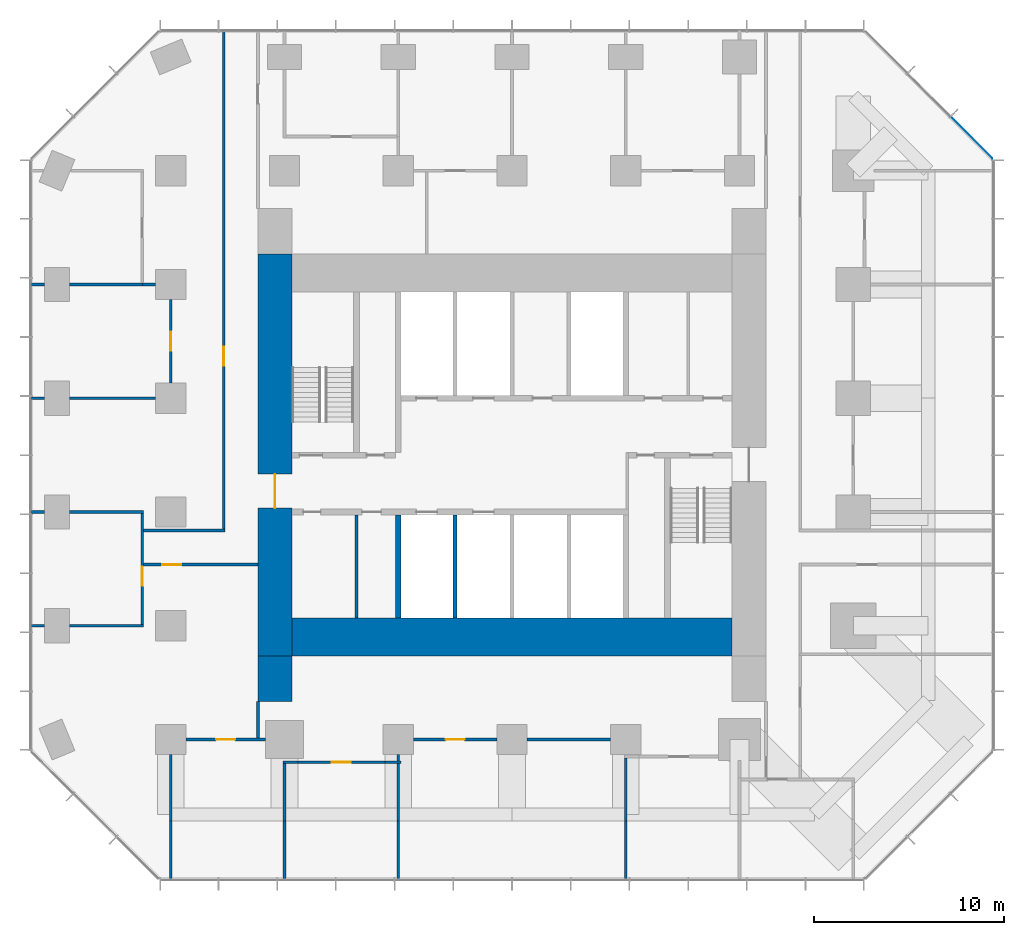
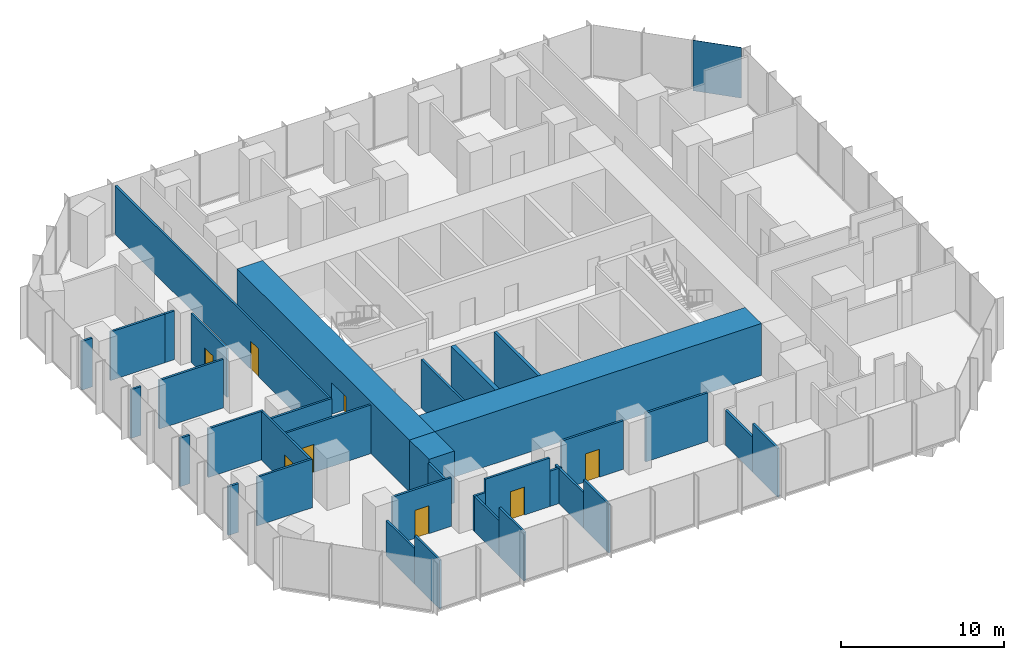
# One storey, part 8 of 12: 36 walls, 8 doors, 1 plate, 8 openings, 1 element without a shape of its own.
"""IFC4 building model written with IfcOpenShell, lengths in metres."""

from ifc_helpers import new_model, si_unit, direction, frame, frame_2d, origin, origin_2d, place, context, subcontext, project, spatial, rectangle, extrude, material, layer, layer_set, type_object, element, fill, aggregate, save


model = new_model("IFC4")

# Units and contexts
model_context = context("Model", 3, precision=1e-05, world=origin(), true_north=direction((0.0, 1.0)))
body_context = subcontext(model_context, "Body", "Model", "MODEL_VIEW")
ifc_project = project(units=[si_unit("LENGTHUNIT", "METRE"), si_unit("AREAUNIT", "SQUARE_METRE"), si_unit("VOLUMEUNIT", "CUBIC_METRE"), si_unit("PLANEANGLEUNIT", "RADIAN"), si_unit("MASSUNIT", "GRAM", prefix="KILO")], contexts=[model_context])

# Site, building, storey
site_placement = place(None, origin())
site = spatial("IfcSite", under=ifc_project, at=site_placement, CompositionType="ELEMENT")
building_placement = place(site_placement, origin())
building = spatial("IfcBuilding", under=site, at=building_placement, Name="Highveld Stack Headquarters", CompositionType="ELEMENT")
storey_placement = place(building_placement, frame((0.0, 0.0, 148.39990234375)))
storey = spatial("IfcBuildingStorey", under=building, at=storey_placement, Name="L36", CompositionType="ELEMENT", Elevation=148.39990234375)

# Curtain wall, plate
ifc_material_1 = material(Name="Aluminium bronze anodised", Category="aluminium")
ifc_layer_1 = layer(ifc_material_1, 0.199951171875)
ifc_layer_set_1 = layer_set([ifc_layer_1], Name="Aluminium bronze anodised")
curtain_wall_type = type_object("IfcCurtainWallType", Name="CW2 TOWER CHAMFER UNITISED CURTAIN WALL", PredefinedType="NOTDEFINED", material=ifc_layer_set_1)
curtain_wall_placement = place(storey_placement, origin())
curtain_wall = element("IfcCurtainWall", 1, at=curtain_wall_placement, inside=storey, type_object=curtain_wall_type, Name="Curtain wall CW2 L36 NE", PredefinedType="NOTDEFINED")
ifc_material_2 = material(Name="Glass bronze tinted double glazed unit", Category="glass")
ifc_layer_2 = layer(ifc_material_2, 0.028076171875)
ifc_layer_set_2 = layer_set([ifc_layer_2], Name="Glass bronze tinted double glazed unit")
plate_type = type_object("IfcPlateType", Name="CW2 PANEL BRONZE TINTED DOUBLE GLAZED UNIT", PredefinedType="CURTAIN_PANEL", material=ifc_layer_set_2)
plate_placement = place(storey_placement, frame((30.239501953125, 19.740478515625, 0.10009765625), z_axis=(0.0, 0.0, 1.0), x_axis=(-0.707106781187, 0.707106781187, 0.0)))
plate = element("IfcPlate", 2, at=plate_placement, type_object=plate_type, Name="CW2 panel L36 1.1", PredefinedType="CURTAIN_PANEL", context=body_context, shape_type="SweptSolid", body=[
    extrude(rectangle(XDim=3.08251953125, YDim=0.028076171875, at=origin_2d()), origin(), (0.0, 0.0, 1.0), 3.800048828125),
])
aggregate(curtain_wall, [plate])

# Wall, opening, door
ifc_material_3 = material(Name="Concrete C60/75", Category="concrete")
ifc_layer_3 = layer(ifc_material_3, 1.800048828125)
ifc_layer_set_3 = layer_set([ifc_layer_3], Name="Concrete C60/75")
wall_type_1 = type_object("IfcWallType", Name="CORE WALL 1800 C60/75", PredefinedType="SHEAR", material=ifc_layer_set_3)
wall_1_placement = place(storey_placement, frame((-6.5, -7.60009765625, 0.0), z_axis=(0.0, 0.0, 1.0), x_axis=(0.0, 1.0, 0.0)))
wall_1 = element("IfcWall", 3, at=wall_1_placement, inside=storey, type_object=wall_type_1, Name="Core wall W L36", PredefinedType="SHEAR", context=body_context, shape_type="SweptSolid", body=[
    extrude(rectangle(XDim=21.2001953125, YDim=1.800048828125, at=frame_2d((10.60009765625, 0.0))), origin(), (0.0, 0.0, 1.0), 3.900146484375),
])
opening_1_placement = place(wall_1_placement, frame((7.800048828125, 0.0, 0.0)))
opening_1 = element("IfcOpeningElement", 4, at=opening_1_placement, cuts=wall_1, Name="Opening L36-01", PredefinedType="OPENING", context=body_context, shape_type="SweptSolid", body=[
    extrude(rectangle(XDim=1.800048828125, YDim=2.39990234375, at=frame_2d((0.89990234375, 1.199951171875))), frame((0.0, 0.909912109375, 0.0), z_axis=(0.0, -1.0, 0.0), x_axis=(1.0, 0.0, 0.0)), (0.0, 0.0, 1.0), 1.820068359375),
])
ifc_material_4 = material(Name="Steel fire door", Category="steel")
door_type_1 = type_object("IfcDoorType", Name="LOBBY FIRE DOOR D4 1800x2400", OperationType="DOUBLE_DOOR_SINGLE_SWING", PredefinedType="DOOR", material=ifc_material_4)
door_1_placement = place(opening_1_placement, origin())
door_1 = element("IfcDoor", 5, at=door_1_placement, inside=storey, type_object=door_type_1, Name="Core west door L36", OperationType="DOUBLE_DOOR_SINGLE_SWING", OverallHeight=2.39990234375, OverallWidth=1.800048828125, PredefinedType="DOOR", context=body_context, shape_type="SweptSolid", body=[
    extrude(rectangle(XDim=1.800048828125, YDim=2.39990234375, at=frame_2d((0.89990234375, 1.199951171875))), frame((0.0, 0.02490234375, 0.0), z_axis=(0.0, -1.0, 0.0), x_axis=(1.0, 0.0, 0.0)), (0.0, 0.0, 1.0), 0.050048828125),
])
fill(opening_1, door_1)

# Walls
ifc_material_5 = material(Name="Concrete C60/75", Category="concrete")
ifc_layer_4 = layer(ifc_material_5, 2.0)
ifc_layer_set_4 = layer_set([ifc_layer_4], Name="Concrete C60/75")
wall_type_2 = type_object("IfcWallType", Name="CORE WALL 2000 C60/75", PredefinedType="SHEAR", material=ifc_layer_set_4)
wall_2_placement = place(storey_placement, frame((-5.60009765625, -6.60009765625, 0.0), z_axis=(0.0, 0.0, 1.0), x_axis=(1.0, 0.0, 0.0)))
element("IfcWall", 6, at=wall_2_placement, inside=storey, type_object=wall_type_2, Name="Core wall S L36", PredefinedType="SHEAR", context=body_context, shape_type="SweptSolid", body=[
    extrude(rectangle(XDim=23.2001953125, YDim=2.0, at=frame_2d((11.60009765625, 0.0))), origin(), (0.0, 0.0, 1.0), 3.900146484375),
])
ifc_material_6 = material(Name="Concrete C60/75", Category="concrete")
ifc_layer_5 = layer(ifc_material_6, 0.300048828125)
ifc_layer_set_5 = layer_set([ifc_layer_5], Name="Concrete C60/75")
wall_type_3 = type_object("IfcWallType", Name="CORE WALL 300 C60/75", PredefinedType="SHEAR", material=ifc_layer_set_5)
wall_3_placement = place(storey_placement, frame((0.0, -5.60009765625, 0.0), z_axis=(0.0, 0.0, 1.0), x_axis=(0.0, 1.0, 0.0)))
element("IfcWall", 7, at=wall_3_placement, inside=storey, type_object=wall_type_3, Name="Core wall I-X0S L36", PredefinedType="SHEAR", context=body_context, shape_type="SweptSolid", body=[
    extrude(rectangle(XDim=5.4501953125, YDim=0.300048828125, at=frame_2d((2.72509765625, 0.0))), origin(), (0.0, 0.0, 1.0), 3.900146484375),
])
ifc_material_7 = material(Name="Concrete C60/75", Category="concrete")
ifc_layer_6 = layer(ifc_material_7, 1.800048828125)
ifc_layer_set_6 = layer_set([ifc_layer_6], Name="Concrete C60/75")
wall_type_4 = type_object("IfcWallType", Name="CORE WING WALL 1800 C60/75", PredefinedType="SHEAR", material=ifc_layer_set_6)
wall_4_placement = place(storey_placement, frame((-6.5, -10.0, 0.0), z_axis=(0.0, 0.0, 1.0), x_axis=(0.0, 1.0, 0.0)))
element("IfcWall", 8, at=wall_4_placement, inside=storey, type_object=wall_type_4, Name="Core wing wall WS L36", PredefinedType="SHEAR", context=body_context, shape_type="SweptSolid", body=[
    extrude(rectangle(XDim=2.39990234375, YDim=1.800048828125, at=frame_2d((1.199951171875, 0.0))), origin(), (0.0, 0.0, 1.0), 3.900146484375),
])

# Wall, opening, door
ifc_material_8 = material(Name="Laminated glass in aluminium frame", Category="aluminium")
ifc_layer_7 = layer(ifc_material_8, 0.14990234375)
ifc_layer_set_7 = layer_set([ifc_layer_7], Name="Laminated glass in aluminium frame")
wall_type_5 = type_object("IfcWallType", Name="GLAZED PARTITION 150", PredefinedType="PARTITIONING", material=ifc_layer_set_7)
wall_5_placement = place(storey_placement, frame((-11.199951171875, -12.0, 0.0), z_axis=(0.0, 0.0, 1.0), x_axis=(1.0, 0.0, 0.0)))
wall_5 = element("IfcWall", 9, at=wall_5_placement, inside=storey, type_object=wall_type_5, Name="Glazed partition Meeting room L36", PredefinedType="PARTITIONING", context=body_context, shape_type="SweptSolid", body=[
    extrude(rectangle(XDim=4.199951171875, YDim=0.14990234375, at=frame_2d((2.10009765625, 0.0))), origin(), (0.0, 0.0, 1.0), 3.650146484375),
])
opening_2_placement = place(wall_5_placement, frame((1.60009765625, 0.0, 0.0)))
opening_2 = element("IfcOpeningElement", 10, at=opening_2_placement, cuts=wall_5, Name="Opening L36-12", PredefinedType="OPENING", context=body_context, shape_type="SweptSolid", body=[
    extrude(rectangle(XDim=1.0, YDim=2.10009765625, at=frame_2d((0.5, 1.050048828125))), frame((0.0, 0.0849609375, 0.0), z_axis=(0.0, -1.0, 0.0), x_axis=(1.0, 0.0, 0.0)), (0.0, 0.0, 1.0), 0.169921875),
])
ifc_material_9 = material(Name="Timber door, oiled ash", Category="wood")
door_type_2 = type_object("IfcDoorType", Name="ROOM DOOR D6 1000x2100", OperationType="SINGLE_SWING_LEFT", PredefinedType="DOOR", material=ifc_material_9)
door_2_placement = place(opening_2_placement, origin())
door_2 = element("IfcDoor", 11, at=door_2_placement, inside=storey, type_object=door_type_2, Name="Meeting room door 1 L36", OperationType="SINGLE_SWING_LEFT", OverallHeight=2.10009765625, OverallWidth=1.0, PredefinedType="DOOR", context=body_context, shape_type="SweptSolid", body=[
    extrude(rectangle(XDim=1.0, YDim=2.10009765625, at=frame_2d((0.5, 1.050048828125))), frame((0.0, 0.02490234375, 0.0), z_axis=(0.0, -1.0, 0.0), x_axis=(1.0, 0.0, 0.0)), (0.0, 0.0, 1.0), 0.050048828125),
])
fill(opening_2, door_2)

wall_6_placement = place(storey_placement, frame((-12.0, 6.800048828125, 0.0), z_axis=(0.0, 0.0, 1.0), x_axis=(0.0, 1.0, 0.0)))
wall_6 = element("IfcWall", 12, at=wall_6_placement, inside=storey, type_object=wall_type_5, Name="Glazed partition Meeting room L36", PredefinedType="PARTITIONING", context=body_context, shape_type="SweptSolid", body=[
    extrude(rectangle(XDim=4.39990234375, YDim=0.14990234375, at=frame_2d((2.199951171875, 0.0))), origin(), (0.0, 0.0, 1.0), 3.650146484375),
])
opening_3_placement = place(wall_6_placement, frame((1.699951171875, 0.0, 0.0)))
opening_3 = element("IfcOpeningElement", 13, at=opening_3_placement, cuts=wall_6, Name="Opening L36-18", PredefinedType="OPENING", context=body_context, shape_type="SweptSolid", body=[
    extrude(rectangle(XDim=1.0, YDim=2.10009765625, at=frame_2d((0.5, 1.050048828125))), frame((0.0, 0.0849609375, 0.0), z_axis=(0.0, -1.0, 0.0), x_axis=(1.0, 0.0, 0.0)), (0.0, 0.0, 1.0), 0.169921875),
])
door_3_placement = place(opening_3_placement, origin())
door_3 = element("IfcDoor", 14, at=door_3_placement, inside=storey, type_object=door_type_2, Name="Meeting room door 1 L36", OperationType="SINGLE_SWING_LEFT", OverallHeight=2.10009765625, OverallWidth=1.0, PredefinedType="DOOR", context=body_context, shape_type="SweptSolid", body=[
    extrude(rectangle(XDim=1.0, YDim=2.10009765625, at=frame_2d((0.5, 1.050048828125))), frame((0.0, 0.02490234375, 0.0), z_axis=(0.0, -1.0, 0.0), x_axis=(1.0, 0.0, 0.0)), (0.0, 0.0, 1.0), 0.050048828125),
])
fill(opening_3, door_3)

# Walls
ifc_material_10 = material(Name="Concrete blockwork, fair-faced", Category="masonry")
ifc_layer_8 = layer(ifc_material_10, 0.199951171875)
ifc_layer_set_8 = layer_set([ifc_layer_8], Name="Concrete blockwork, fair-faced")
wall_type_6 = type_object("IfcWallType", Name="LIFT SHAFT ENCLOSURE WALL 200 BLOCKWORK", PredefinedType="SOLIDWALL", material=ifc_layer_set_8)
wall_7_placement = place(storey_placement, frame((3.0, -5.60009765625, 0.0), z_axis=(0.0, 0.0, 1.0), x_axis=(0.0, 1.0, 0.0)))
element("IfcWall", 15, at=wall_7_placement, inside=storey, type_object=wall_type_6, Name="Lift shaft wall L36", PredefinedType="SOLIDWALL", context=body_context, shape_type="SweptSolid", body=[
    extrude(rectangle(XDim=5.4501953125, YDim=0.199951171875, at=frame_2d((2.72509765625, 0.0))), origin(), (0.0, 0.0, 1.0), 3.900146484375),
])
ifc_material_11 = material(Name="Gypsum plasterboard on steel studs", Category="steel")
ifc_layer_9 = layer(ifc_material_11, 0.14990234375)
ifc_layer_set_9 = layer_set([ifc_layer_9], Name="Gypsum plasterboard on steel studs")
wall_type_7 = type_object("IfcWallType", Name="PARTITION 150 PLASTERBOARD", PredefinedType="PARTITIONING", material=ifc_layer_set_9)
wall_8_placement = place(storey_placement, frame((-6.074951171875, -13.199951171875, 0.0), z_axis=(0.0, 0.0, 1.0), x_axis=(1.0, 0.0, 0.0)))
element("IfcWall", 16, at=wall_8_placement, inside=storey, type_object=wall_type_7, Name="Partition Tea kitchen L36", PredefinedType="PARTITIONING", context=body_context, shape_type="SweptSolid", body=[
    extrude(rectangle(XDim=0.784912109375, YDim=0.14990234375, at=frame_2d((0.392578125, 0.0))), origin(), (0.0, 0.0, 1.0), 2.650146484375),
])

# Wall, opening, door
wall_9_placement = place(storey_placement, frame((-5.2900390625, -13.199951171875, 0.0), z_axis=(0.0, 0.0, 1.0), x_axis=(1.0, 0.0, 0.0)))
wall_9 = element("IfcWall", 17, at=wall_9_placement, inside=storey, type_object=wall_type_7, Name="Partition Tea kitchen L36", PredefinedType="PARTITIONING", context=body_context, shape_type="SweptSolid", body=[
    extrude(rectangle(XDim=4.580078125, YDim=0.14990234375, at=frame_2d((2.2900390625, 0.0))), origin(), (0.0, 0.0, 1.0), 3.650146484375),
])
opening_4_placement = place(wall_9_placement, frame((1.7900390625, 0.0, 0.0)))
opening_4 = element("IfcOpeningElement", 18, at=opening_4_placement, cuts=wall_9, Name="Opening L36-13", PredefinedType="OPENING", context=body_context, shape_type="SweptSolid", body=[
    extrude(rectangle(XDim=1.0, YDim=2.10009765625, at=frame_2d((0.5, 1.050048828125))), frame((0.0, 0.0849609375, 0.0), z_axis=(0.0, -1.0, 0.0), x_axis=(1.0, 0.0, 0.0)), (0.0, 0.0, 1.0), 0.169921875),
])
door_4_placement = place(opening_4_placement, origin())
door_4 = element("IfcDoor", 19, at=door_4_placement, inside=storey, type_object=door_type_2, Name="Tea kitchen door 1 L36", OperationType="SINGLE_SWING_LEFT", OverallHeight=2.10009765625, OverallWidth=1.0, PredefinedType="DOOR", context=body_context, shape_type="SweptSolid", body=[
    extrude(rectangle(XDim=1.0, YDim=2.10009765625, at=frame_2d((0.5, 1.050048828125))), frame((0.0, 0.02490234375, 0.0), z_axis=(0.0, -1.0, 0.0), x_axis=(1.0, 0.0, 0.0)), (0.0, 0.0, 1.0), 0.050048828125),
])
fill(opening_4, door_4)

# Wall
wall_10_placement = place(storey_placement, frame((-0.7099609375, -13.199951171875, 0.0), z_axis=(0.0, 0.0, 1.0), x_axis=(1.0, 0.0, 0.0)))
element("IfcWall", 20, at=wall_10_placement, inside=storey, type_object=wall_type_7, Name="Partition Tea kitchen L36", PredefinedType="PARTITIONING", context=body_context, shape_type="SweptSolid", body=[
    extrude(rectangle(XDim=0.85986328125, YDim=0.14990234375, at=frame_2d((0.429931640625, 0.0))), origin(), (0.0, 0.0, 1.0), 2.650146484375),
])

# Wall, opening, door
wall_11_placement = place(storey_placement, frame((0.800048828125, -12.0, 0.0), z_axis=(0.0, 0.0, 1.0), x_axis=(1.0, 0.0, 0.0)))
wall_11 = element("IfcWall", 21, at=wall_11_placement, inside=storey, type_object=wall_type_7, Name="Partition Team office L36", PredefinedType="PARTITIONING", context=body_context, shape_type="SweptSolid", body=[
    extrude(rectangle(XDim=4.39990234375, YDim=0.14990234375, at=frame_2d((2.199951171875, 0.0))), origin(), (0.0, 0.0, 1.0), 3.650146484375),
])
opening_5_placement = place(wall_11_placement, frame((1.699951171875, 0.0, 0.0)))
opening_5 = element("IfcOpeningElement", 22, at=opening_5_placement, cuts=wall_11, Name="Opening L36-14", PredefinedType="OPENING", context=body_context, shape_type="SweptSolid", body=[
    extrude(rectangle(XDim=1.0, YDim=2.10009765625, at=frame_2d((0.5, 1.050048828125))), frame((0.0, 0.0849609375, 0.0), z_axis=(0.0, -1.0, 0.0), x_axis=(1.0, 0.0, 0.0)), (0.0, 0.0, 1.0), 0.169921875),
])
door_5_placement = place(opening_5_placement, origin())
door_5 = element("IfcDoor", 23, at=door_5_placement, inside=storey, type_object=door_type_2, Name="Team office door 1 L36", OperationType="SINGLE_SWING_LEFT", OverallHeight=2.10009765625, OverallWidth=1.0, PredefinedType="DOOR", context=body_context, shape_type="SweptSolid", body=[
    extrude(rectangle(XDim=1.0, YDim=2.10009765625, at=frame_2d((0.5, 1.050048828125))), frame((0.0, 0.02490234375, 0.0), z_axis=(0.0, -1.0, 0.0), x_axis=(1.0, 0.0, 0.0)), (0.0, 0.0, 1.0), 0.050048828125),
])
fill(opening_5, door_5)

# Walls
wall_12_placement = place(storey_placement, frame((6.800048828125, -12.0, 0.0), z_axis=(0.0, 0.0, 1.0), x_axis=(1.0, 0.0, 0.0)))
element("IfcWall", 24, at=wall_12_placement, inside=storey, type_object=wall_type_7, Name="Partition Team office L36", PredefinedType="PARTITIONING", context=body_context, shape_type="SweptSolid", body=[
    extrude(rectangle(XDim=4.39990234375, YDim=0.14990234375, at=frame_2d((2.199951171875, 0.0))), origin(), (0.0, 0.0, 1.0), 3.650146484375),
])
wall_13_placement = place(storey_placement, frame((-19.39990234375, -6.0, 0.0), z_axis=(0.0, 0.0, 1.0), x_axis=(1.0, 0.0, 0.0)))
element("IfcWall", 25, at=wall_13_placement, inside=storey, type_object=wall_type_7, Name="Partition Quiet room L36", PredefinedType="PARTITIONING", context=body_context, shape_type="SweptSolid", body=[
    extrude(rectangle(XDim=0.75, YDim=0.14990234375, at=frame_2d((0.375, 0.0))), origin(), (0.0, 0.0, 1.0), 3.650146484375),
])
wall_14_placement = place(storey_placement, frame((-17.35009765625, -6.0, 0.0), z_axis=(0.0, 0.0, 1.0), x_axis=(1.0, 0.0, 0.0)))
element("IfcWall", 26, at=wall_14_placement, inside=storey, type_object=wall_type_7, Name="Partition Quiet room L36", PredefinedType="PARTITIONING", context=body_context, shape_type="SweptSolid", body=[
    extrude(rectangle(XDim=3.925048828125, YDim=0.14990234375, at=frame_2d((1.96240234375, 0.0))), origin(), (0.0, 0.0, 1.0), 3.650146484375),
])
wall_15_placement = place(storey_placement, frame((-19.35009765625, 0.0, 0.0), z_axis=(0.0, 0.0, 1.0), x_axis=(1.0, 0.0, 0.0)))
element("IfcWall", 27, at=wall_15_placement, inside=storey, type_object=wall_type_7, Name="Partition Quiet room L36", PredefinedType="PARTITIONING", context=body_context, shape_type="SweptSolid", body=[
    extrude(rectangle(XDim=0.7001953125, YDim=0.14990234375, at=frame_2d((0.35009765625, 0.0))), origin(), (0.0, 0.0, 1.0), 3.650146484375),
])
wall_16_placement = place(storey_placement, frame((-17.35009765625, 0.0, 0.0), z_axis=(0.0, 0.0, 1.0), x_axis=(1.0, 0.0, 0.0)))
element("IfcWall", 28, at=wall_16_placement, inside=storey, type_object=wall_type_7, Name="Partition Quiet room L36", PredefinedType="PARTITIONING", context=body_context, shape_type="SweptSolid", body=[
    extrude(rectangle(XDim=3.925048828125, YDim=0.14990234375, at=frame_2d((1.96240234375, 0.0))), origin(), (0.0, 0.0, 1.0), 3.650146484375),
])
wall_17_placement = place(storey_placement, frame((-19.35009765625, 6.0, 0.0), z_axis=(0.0, 0.0, 1.0), x_axis=(1.0, 0.0, 0.0)))
element("IfcWall", 29, at=wall_17_placement, inside=storey, type_object=wall_type_7, Name="Partition Meeting room L36", PredefinedType="PARTITIONING", context=body_context, shape_type="SweptSolid", body=[
    extrude(rectangle(XDim=0.7001953125, YDim=0.14990234375, at=frame_2d((0.35009765625, 0.0))), origin(), (0.0, 0.0, 1.0), 3.650146484375),
])
wall_18_placement = place(storey_placement, frame((-17.35009765625, 6.0, 0.0), z_axis=(0.0, 0.0, 1.0), x_axis=(1.0, 0.0, 0.0)))
element("IfcWall", 30, at=wall_18_placement, inside=storey, type_object=wall_type_7, Name="Partition Meeting room L36", PredefinedType="PARTITIONING", context=body_context, shape_type="SweptSolid", body=[
    extrude(rectangle(XDim=4.550048828125, YDim=0.14990234375, at=frame_2d((2.27490234375, 0.0))), origin(), (0.0, 0.0, 1.0), 3.650146484375),
])
wall_19_placement = place(storey_placement, frame((-19.39990234375, 12.0, 0.0), z_axis=(0.0, 0.0, 1.0), x_axis=(1.0, 0.0, 0.0)))
element("IfcWall", 31, at=wall_19_placement, inside=storey, type_object=wall_type_7, Name="Partition Meeting room / Quiet room L36", PredefinedType="PARTITIONING", context=body_context, shape_type="SweptSolid", body=[
    extrude(rectangle(XDim=0.75, YDim=0.14990234375, at=frame_2d((0.375, 0.0))), origin(), (0.0, 0.0, 1.0), 3.650146484375),
])
wall_20_placement = place(storey_placement, frame((-17.35009765625, 12.0, 0.0), z_axis=(0.0, 0.0, 1.0), x_axis=(1.0, 0.0, 0.0)))
element("IfcWall", 32, at=wall_20_placement, inside=storey, type_object=wall_type_7, Name="Partition Meeting room / Quiet room L36", PredefinedType="PARTITIONING", context=body_context, shape_type="SweptSolid", body=[
    extrude(rectangle(XDim=3.925048828125, YDim=0.14990234375, at=frame_2d((1.96240234375, 0.0))), origin(), (0.0, 0.0, 1.0), 3.650146484375),
])
wall_21_placement = place(storey_placement, frame((-13.5, 12.0, 0.0), z_axis=(0.0, 0.0, 1.0), x_axis=(1.0, 0.0, 0.0)))
element("IfcWall", 33, at=wall_21_placement, inside=storey, type_object=wall_type_7, Name="Partition Meeting room L36", PredefinedType="PARTITIONING", context=body_context, shape_type="SweptSolid", body=[
    extrude(rectangle(XDim=0.699951171875, YDim=0.14990234375, at=frame_2d((0.35009765625, 0.0))), origin(), (0.0, 0.0, 1.0), 3.650146484375),
])

# Wall, opening, door
wall_22_placement = place(storey_placement, frame((-13.5, -5.925048828125, 0.0), z_axis=(0.0, 0.0, 1.0), x_axis=(0.0, 1.0, 0.0)))
wall_22 = element("IfcWall", 34, at=wall_22_placement, inside=storey, type_object=wall_type_7, Name="Partition Quiet room L36", PredefinedType="PARTITIONING", context=body_context, shape_type="SweptSolid", body=[
    extrude(rectangle(XDim=5.85009765625, YDim=0.14990234375, at=frame_2d((2.925048828125, 0.0))), origin(), (0.0, 0.0, 1.0), 3.650146484375),
])
opening_6_placement = place(wall_22_placement, frame((2.02490234375, 0.0, 0.0)))
opening_6 = element("IfcOpeningElement", 35, at=opening_6_placement, cuts=wall_22, Name="Opening L36-17", PredefinedType="OPENING", context=body_context, shape_type="SweptSolid", body=[
    extrude(rectangle(XDim=1.0, YDim=2.10009765625, at=frame_2d((0.5, 1.050048828125))), frame((0.0, 0.0849609375, 0.0), z_axis=(0.0, -1.0, 0.0), x_axis=(1.0, 0.0, 0.0)), (0.0, 0.0, 1.0), 0.169921875),
])
door_6_placement = place(opening_6_placement, origin())
door_6 = element("IfcDoor", 36, at=door_6_placement, inside=storey, type_object=door_type_2, Name="Quiet room door 1 L36", OperationType="SINGLE_SWING_LEFT", OverallHeight=2.10009765625, OverallWidth=1.0, PredefinedType="DOOR", context=body_context, shape_type="SweptSolid", body=[
    extrude(rectangle(XDim=1.0, YDim=2.10009765625, at=frame_2d((0.5, 1.050048828125))), frame((0.0, 0.02490234375, 0.0), z_axis=(0.0, -1.0, 0.0), x_axis=(1.0, 0.0, 0.0)), (0.0, 0.0, 1.0), 0.050048828125),
])
fill(opening_6, door_6)

# Walls
wall_23_placement = place(storey_placement, frame((-12.0, -19.39990234375, 0.0), z_axis=(0.0, 0.0, 1.0), x_axis=(0.0, 1.0, 0.0)))
element("IfcWall", 37, at=wall_23_placement, inside=storey, type_object=wall_type_7, Name="Partition Meeting room L36", PredefinedType="PARTITIONING", context=body_context, shape_type="SweptSolid", body=[
    extrude(rectangle(XDim=3.08984375, YDim=0.14990234375, at=frame_2d((1.544921875, 0.0))), origin(), (0.0, 0.0, 1.0), 3.650146484375),
])
wall_24_placement = place(storey_placement, frame((-12.0, -16.31005859375, 0.0), z_axis=(0.0, 0.0, 1.0), x_axis=(0.0, 1.0, 0.0)))
element("IfcWall", 38, at=wall_24_placement, inside=storey, type_object=wall_type_7, Name="Partition Meeting room L36", PredefinedType="PARTITIONING", context=body_context, shape_type="SweptSolid", body=[
    extrude(rectangle(XDim=3.510009765625, YDim=0.14990234375, at=frame_2d((1.7548828125, 0.0))), origin(), (0.0, 0.0, 1.0), 2.650146484375),
])
wall_25_placement = place(storey_placement, frame((-6.0, -19.39990234375, 0.0), z_axis=(0.0, 0.0, 1.0), x_axis=(0.0, 1.0, 0.0)))
element("IfcWall", 39, at=wall_25_placement, inside=storey, type_object=wall_type_7, Name="Partition Meeting room / Tea kitchen L36", PredefinedType="PARTITIONING", context=body_context, shape_type="SweptSolid", body=[
    extrude(rectangle(XDim=3.08984375, YDim=0.14990234375, at=frame_2d((1.544921875, 0.0))), origin(), (0.0, 0.0, 1.0), 3.650146484375),
])
wall_26_placement = place(storey_placement, frame((-6.0, -16.31005859375, 0.0), z_axis=(0.0, 0.0, 1.0), x_axis=(0.0, 1.0, 0.0)))
element("IfcWall", 40, at=wall_26_placement, inside=storey, type_object=wall_type_7, Name="Partition Meeting room / Tea kitchen L36", PredefinedType="PARTITIONING", context=body_context, shape_type="SweptSolid", body=[
    extrude(rectangle(XDim=3.03515625, YDim=0.14990234375, at=frame_2d((1.517578125, 0.0))), origin(), (0.0, 0.0, 1.0), 2.650146484375),
])
wall_27_placement = place(storey_placement, frame((0.0, -19.39990234375, 0.0), z_axis=(0.0, 0.0, 1.0), x_axis=(0.0, 1.0, 0.0)))
element("IfcWall", 41, at=wall_27_placement, inside=storey, type_object=wall_type_7, Name="Partition Tea kitchen / Team office L36", PredefinedType="PARTITIONING", context=body_context, shape_type="SweptSolid", body=[
    extrude(rectangle(XDim=3.08984375, YDim=0.14990234375, at=frame_2d((1.544921875, 0.0))), origin(), (0.0, 0.0, 1.0), 3.650146484375),
])
wall_28_placement = place(storey_placement, frame((0.0, -16.31005859375, 0.0), z_axis=(0.0, 0.0, 1.0), x_axis=(0.0, 1.0, 0.0)))
element("IfcWall", 42, at=wall_28_placement, inside=storey, type_object=wall_type_7, Name="Partition Tea kitchen / Team office L36", PredefinedType="PARTITIONING", context=body_context, shape_type="SweptSolid", body=[
    extrude(rectangle(XDim=3.03515625, YDim=0.14990234375, at=frame_2d((1.517578125, 0.0))), origin(), (0.0, 0.0, 1.0), 2.650146484375),
])
wall_29_placement = place(storey_placement, frame((0.0, -13.125, 0.0), z_axis=(0.0, 0.0, 1.0), x_axis=(0.0, 1.0, 0.0)))
element("IfcWall", 43, at=wall_29_placement, inside=storey, type_object=wall_type_7, Name="Partition Team office L36", PredefinedType="PARTITIONING", context=body_context, shape_type="SweptSolid", body=[
    extrude(rectangle(XDim=0.324951171875, YDim=0.14990234375, at=frame_2d((0.16259765625, 0.0))), origin(), (0.0, 0.0, 1.0), 2.650146484375),
])
wall_30_placement = place(storey_placement, frame((12.0, -19.39990234375, 0.0), z_axis=(0.0, 0.0, 1.0), x_axis=(0.0, 1.0, 0.0)))
element("IfcWall", 44, at=wall_30_placement, inside=storey, type_object=wall_type_7, Name="Partition Interview room / Team office L36", PredefinedType="PARTITIONING", context=body_context, shape_type="SweptSolid", body=[
    extrude(rectangle(XDim=3.08984375, YDim=0.14990234375, at=frame_2d((1.544921875, 0.0))), origin(), (0.0, 0.0, 1.0), 3.650146484375),
])
wall_31_placement = place(storey_placement, frame((12.0, -16.31005859375, 0.0), z_axis=(0.0, 0.0, 1.0), x_axis=(0.0, 1.0, 0.0)))
element("IfcWall", 45, at=wall_31_placement, inside=storey, type_object=wall_type_7, Name="Partition Interview room / Team office L36", PredefinedType="PARTITIONING", context=body_context, shape_type="SweptSolid", body=[
    extrude(rectangle(XDim=3.3349609375, YDim=0.14990234375, at=frame_2d((1.66748046875, 0.0))), origin(), (0.0, 0.0, 1.0), 2.650146484375),
])

# Wall, opening, door
wall_32_placement = place(storey_placement, frame((-13.425048828125, -2.77490234375, 0.0), z_axis=(0.0, 0.0, 1.0), x_axis=(1.0, 0.0, 0.0)))
wall_32 = element("IfcWall", 46, at=wall_32_placement, inside=storey, type_object=wall_type_7, Name="Partition office neighbourhood L36", PredefinedType="PARTITIONING", context=body_context, shape_type="SweptSolid", body=[
    extrude(rectangle(XDim=6.025146484375, YDim=0.14990234375, at=frame_2d((3.0126953125, 0.0))), origin(), (0.0, 0.0, 1.0), 3.650146484375),
])
opening_7_placement = place(wall_32_placement, frame((0.97900390625, 0.0, 0.0)))
opening_7 = element("IfcOpeningElement", 47, at=opening_7_placement, cuts=wall_32, Name="Opening L36-31", PredefinedType="OPENING", context=body_context, shape_type="SweptSolid", body=[
    extrude(rectangle(XDim=1.0, YDim=2.10009765625, at=frame_2d((0.5, 1.050048828125))), frame((0.0, 0.0849609375, 0.0), z_axis=(0.0, -1.0, 0.0), x_axis=(1.0, 0.0, 0.0)), (0.0, 0.0, 1.0), 0.169921875),
])
door_7_placement = place(opening_7_placement, origin())
door_7 = element("IfcDoor", 48, at=door_7_placement, inside=storey, type_object=door_type_2, Name="Office neighbourhood door L36", OperationType="SINGLE_SWING_LEFT", OverallHeight=2.10009765625, OverallWidth=1.0, PredefinedType="DOOR", context=body_context, shape_type="SweptSolid", body=[
    extrude(rectangle(XDim=1.0, YDim=2.10009765625, at=frame_2d((0.5, 1.050048828125))), frame((0.0, 0.02490234375, 0.0), z_axis=(0.0, -1.0, 0.0), x_axis=(1.0, 0.0, 0.0)), (0.0, 0.0, 1.0), 0.050048828125),
])
fill(opening_7, door_7)

# Wall
wall_33_placement = place(storey_placement, frame((-13.425048828125, -0.97509765625, 0.0), z_axis=(0.0, 0.0, 1.0), x_axis=(1.0, 0.0, 0.0)))
element("IfcWall", 49, at=wall_33_placement, inside=storey, type_object=wall_type_7, Name="Partition office neighbourhood L36", PredefinedType="PARTITIONING", context=body_context, shape_type="SweptSolid", body=[
    extrude(rectangle(XDim=4.300048828125, YDim=0.14990234375, at=frame_2d((2.14990234375, 0.0))), origin(), (0.0, 0.0, 1.0), 3.650146484375),
])

# Wall, opening, door
wall_34_placement = place(storey_placement, frame((-9.199951171875, -0.89990234375, 0.0), z_axis=(0.0, 0.0, 1.0), x_axis=(0.0, 1.0, 0.0)))
wall_34 = element("IfcWall", 50, at=wall_34_placement, inside=storey, type_object=wall_type_7, Name="Partition office neighbourhood L36", PredefinedType="PARTITIONING", context=body_context, shape_type="SweptSolid", body=[
    extrude(rectangle(XDim=26.2998046875, YDim=0.14990234375, at=frame_2d((13.14990234375, 0.0))), origin(), (0.0, 0.0, 1.0), 3.650146484375),
])
opening_8_placement = place(wall_34_placement, frame((8.62109375, 0.0, 0.0)))
opening_8 = element("IfcOpeningElement", 51, at=opening_8_placement, cuts=wall_34, Name="Opening L36-27", PredefinedType="OPENING", context=body_context, shape_type="SweptSolid", body=[
    extrude(rectangle(XDim=1.0, YDim=2.10009765625, at=frame_2d((0.5, 1.050048828125))), frame((0.0, 0.0849609375, 0.0), z_axis=(0.0, -1.0, 0.0), x_axis=(1.0, 0.0, 0.0)), (0.0, 0.0, 1.0), 0.169921875),
])
door_8_placement = place(opening_8_placement, origin())
door_8 = element("IfcDoor", 52, at=door_8_placement, inside=storey, type_object=door_type_2, Name="Office neighbourhood door L36", OperationType="SINGLE_SWING_LEFT", OverallHeight=2.10009765625, OverallWidth=1.0, PredefinedType="DOOR", context=body_context, shape_type="SweptSolid", body=[
    extrude(rectangle(XDim=1.0, YDim=2.10009765625, at=frame_2d((0.5, 1.050048828125))), frame((0.0, 0.02490234375, 0.0), z_axis=(0.0, -1.0, 0.0), x_axis=(1.0, 0.0, 0.0)), (0.0, 0.0, 1.0), 0.050048828125),
])
fill(opening_8, door_8)

# Walls
wall_35_placement = place(storey_placement, frame((-7.39990234375, -11.925048828125, 0.0), z_axis=(0.0, 0.0, 1.0), x_axis=(0.0, 1.0, 0.0)))
element("IfcWall", 53, at=wall_35_placement, inside=storey, type_object=wall_type_7, Name="Partition office neighbourhood L36", PredefinedType="PARTITIONING", context=body_context, shape_type="SweptSolid", body=[
    extrude(rectangle(XDim=1.925048828125, YDim=0.14990234375, at=frame_2d((0.96240234375, 0.0))), origin(), (0.0, 0.0, 1.0), 3.650146484375),
])
ifc_material_12 = material(Name="Concrete blockwork, tiled", Category="masonry")
ifc_layer_10 = layer(ifc_material_12, 0.14990234375)
ifc_layer_set_10 = layer_set([ifc_layer_10], Name="Concrete blockwork, tiled")
wall_type_8 = type_object("IfcWallType", Name="WC PARTITION 150", PredefinedType="PLUMBINGWALL", material=ifc_layer_set_10)
wall_36_placement = place(storey_placement, frame((-2.199951171875, -5.60009765625, 0.0), z_axis=(0.0, 0.0, 1.0), x_axis=(0.0, 1.0, 0.0)))
element("IfcWall", 54, at=wall_36_placement, inside=storey, type_object=wall_type_8, Name="Toilet partition L36", PredefinedType="PLUMBINGWALL", context=body_context, shape_type="SweptSolid", body=[
    extrude(rectangle(XDim=5.4501953125, YDim=0.14990234375, at=frame_2d((2.72509765625, 0.0))), origin(), (0.0, 0.0, 1.0), 3.650146484375),
])

save(model, "model.ifc")
